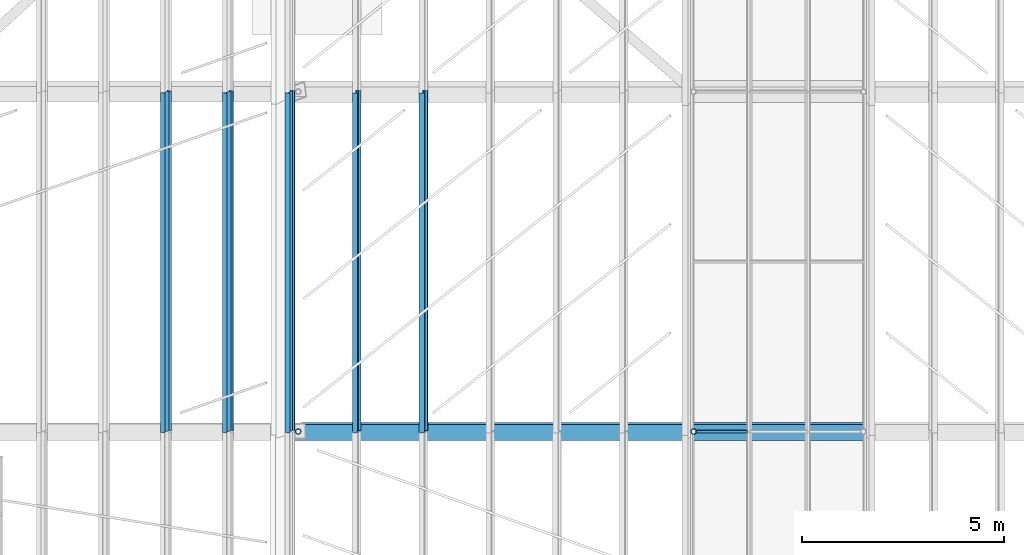
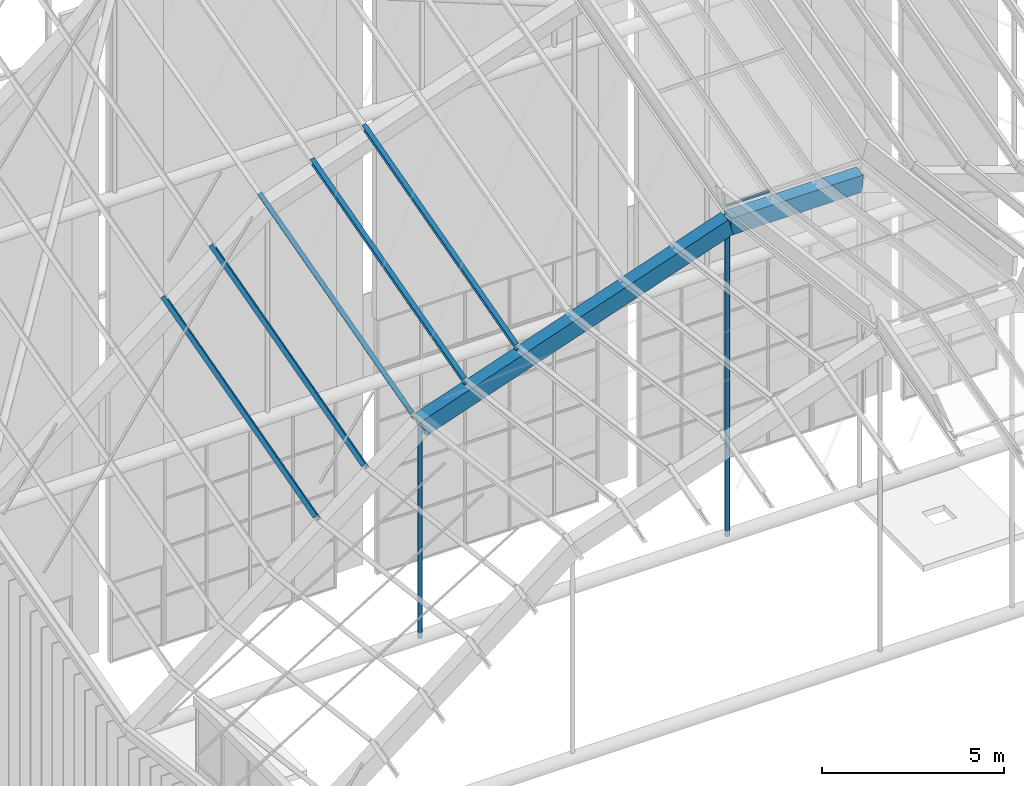
# One storey, part 29 of 126: 8 members, 2 beams.
"""IFC4 building model written with IfcOpenShell, lengths in metres."""

from ifc_helpers import new_model, si_unit, direction, frame, origin, origin_2d, place, context, subcontext, project, spatial, polyline, rectangle, hollow_circle, i_section, outline, extrude, material, material_profile, profile_set, type_object, element, save


model = new_model("IFC4")

# Units and contexts
model_context = context("Model", 3, precision=1e-05, world=origin(), true_north=direction((0.0, 1.0)))
body_context = subcontext(model_context, "Body", "Model", "MODEL_VIEW")
ifc_project = project(units=[si_unit("LENGTHUNIT", "METRE"), si_unit("AREAUNIT", "SQUARE_METRE"), si_unit("VOLUMEUNIT", "CUBIC_METRE"), si_unit("PLANEANGLEUNIT", "RADIAN"), si_unit("MASSUNIT", "GRAM", prefix="KILO")], contexts=[model_context])

# Site, building, storey
site_placement = place(None, origin())
site = spatial("IfcSite", under=ifc_project, at=site_placement, CompositionType="ELEMENT")
building_placement = place(site_placement, origin())
building = spatial("IfcBuilding", under=site, at=building_placement, Name="Sava Quay Ferry Terminal", CompositionType="ELEMENT")
storey_placement = place(building_placement, frame((0.0, 0.0, 15.0)))
storey = spatial("IfcBuildingStorey", under=building, at=storey_placement, Name="L03", CompositionType="ELEMENT", Elevation=15.0)

# Beams
ifc_material_1 = material(Name="Steel S355", Category="steel")
ifc_material_profile_1 = material_profile(ifc_material_1, outline(polyline([(-0.199951171875, -0.300048828125), (0.199951171875, -0.300048828125), (0.199951171875, 0.300048828125), (-0.199951171875, 0.300048828125), (-0.199951171875, -0.300048828125)]), holes=[polyline([(-0.175048828125, -0.27490234375), (-0.175048828125, 0.27490234375), (0.175048828125, 0.27490234375), (0.175048828125, -0.27490234375), (-0.175048828125, -0.27490234375)])]), Name="Box 600x400x25 built-up")
ifc_profile_set_1 = profile_set([ifc_material_profile_1], Name="Steel S355")
beam_type = type_object("IfcBeamType", Name="D folded rib Box 600x400x25", PredefinedType="BEAM", material=ifc_profile_set_1)
beam_1_placement = place(storey_placement, frame((51.1298828125, 84.0, 18.162109375), z_axis=(0.945520775213, 0.0, 0.325561766247), x_axis=(-0.0221801038, 0.99767654007, 0.064417112554)))
element("IfcBeam", 1, at=beam_1_placement, inside=storey, type_object=beam_type, Name="Departure hall folded rib R4 seg 2", PredefinedType="BEAM", context=body_context, shape_type="SweptSolid", body=[
    extrude(outline(polyline([(-0.199951171875, -0.300048828125), (0.199951171875, -0.300048828125), (0.199951171875, 0.300048828125), (-0.199951171875, 0.300048828125), (-0.199951171875, -0.300048828125)]), holes=[polyline([(-0.175048828125, -0.27490234375), (-0.175048828125, 0.27490234375), (0.175048828125, 0.27490234375), (0.175048828125, -0.27490234375), (-0.175048828125, -0.27490234375)])]), origin(), (0.0, 0.0, 1.0), 10.3330078125),
])
beam_2_placement = place(storey_placement, frame((60.89990234375, 84.0, 21.526123046875), z_axis=(1.0, 0.0, 0.0), x_axis=(0.0, 0.997422753982, 0.071748518022)))
element("IfcBeam", 2, at=beam_2_placement, inside=storey, type_object=beam_type, Name="Departure hall folded rib R4 seg 3", PredefinedType="BEAM", context=body_context, shape_type="SweptSolid", body=[
    extrude(outline(polyline([(-0.199951171875, -0.300048828125), (0.199951171875, -0.300048828125), (0.199951171875, 0.300048828125), (-0.199951171875, 0.300048828125), (-0.199951171875, -0.300048828125)]), holes=[polyline([(-0.175048828125, -0.27490234375), (-0.175048828125, 0.27490234375), (0.175048828125, 0.27490234375), (0.175048828125, -0.27490234375), (-0.175048828125, -0.27490234375)])]), origin(), (0.0, 0.0, 1.0), 4.2001953125),
])

# Members
ifc_material_2 = material(Name="Aluminium EN AW-6063 T6", Category="aluminium")
ifc_material_profile_2 = material_profile(ifc_material_2, rectangle(XDim=0.06005859375, YDim=0.06005859375, at=origin_2d()), Name="Bar 60 x 60")
ifc_profile_set_2 = profile_set([ifc_material_profile_2], Name="Aluminium EN AW-6063 T6")
member_type_1 = type_object("IfcMemberType", Name="Glazing bar 60x60", PredefinedType="USERDEFINED", material=ifc_profile_set_2)
member_1_placement = place(storey_placement, frame((60.8798828125, 84.0, 22.1279296875), z_axis=(1.0, 0.0, 0.0), x_axis=(0.0, 0.964556832817, 0.263875190699)))
element("IfcMember", 3, at=member_1_placement, inside=storey, type_object=member_type_1, Name="Departure hall glazing bar D-R4-GT2.0", ObjectType="GLAZING BAR", PredefinedType="USERDEFINED", context=body_context, shape_type="SweptSolid", body=[
    extrude(rectangle(XDim=0.06005859375, YDim=0.06005859375, at=origin_2d()), origin(), (0.0, 0.0, 1.0), 1.356689453125),
])
ifc_material_3 = material(Name="Steel S355", Category="steel")
ifc_material_profile_3 = material_profile(ifc_material_3, i_section(OverallWidth=0.135009765625, OverallDepth=0.27001953125, WebThickness=0.006591796875, FlangeThickness=0.01025390625, at=origin_2d()), Name="IPE 270")
ifc_profile_set_3 = profile_set([ifc_material_profile_3], Name="Steel S355")
member_type_2 = type_object("IfcMemberType", Name="Roof purlin IPE 270", PredefinedType="PURLIN", material=ifc_profile_set_3)
for number, where, z_axis, x_axis, name in (
    (4, (47.86279296875, 84.0, 16.17431640625), (0.0, 0.964560390264, 0.263862186629), (-0.798620025874, 0.158801649701, -0.58050675304), "Departure hall purlin bay 5 M0.4"),
    (5, (49.39404296875, 84.0, 17.37060546875), (0.0, 0.964560390264, 0.263862186629), (-0.798620025874, 0.158801649701, -0.58050675304), "Departure hall purlin bay 5 M0.5"),
    (6, (50.92529296875, 84.0, 18.56689453125), (0.0, 0.964560390264, 0.263862186629), (-0.885499005285, 0.122601262026, -0.448174566646), "Departure hall purlin bay 5 V1"),
    (7, (52.575927734375, 84.0, 19.13525390625), (0.0, 0.964560390264, 0.263862186629), (-0.949027169883, 0.083167850544, -0.304023912646), "Departure hall purlin bay 5 M1.1"),
    (8, (54.2265625, 84.0, 19.70361328125), (0.0, 0.964553254836, 0.263888269132), (-0.949027169883, 0.0831760716, -0.3040216636), "Departure hall purlin bay 5 M1.2"),
):
    element("IfcMember", number, at=place(storey_placement, frame(where, z_axis=z_axis, x_axis=x_axis)), inside=storey, type_object=member_type_2, Name=name, PredefinedType="PURLIN", context=body_context, shape_type="SweptSolid", body=[
        extrude(i_section(OverallWidth=0.135009765625, OverallDepth=0.27001953125, WebThickness=0.006591796875, FlangeThickness=0.01025390625, at=origin_2d()), origin(), (0.0, 0.0, 1.0), 8.70849609375),
    ])
ifc_material_4 = material(Name="Steel S355", Category="steel")
ifc_material_profile_4 = material_profile(ifc_material_4, hollow_circle(Radius=0.06982421875, WallThickness=0.008056640625, at=origin_2d()), Name="CHS 139.7 x 8.0")
ifc_profile_set_4 = profile_set([ifc_material_profile_4], Name="Steel S355")
member_type_3 = type_object("IfcMemberType", Name="Tie hanger CHS 139.7x8", PredefinedType="USERDEFINED", material=ifc_profile_set_4)
member_2_placement = place(storey_placement, frame((51.1298828125, 84.0, 11.029052734375), z_axis=(0.0, 0.0, 1.0), x_axis=(1.0, 0.0, 0.0)))
element("IfcMember", 9, at=member_2_placement, inside=storey, type_object=member_type_3, Name="Departure hall tie hanger R4 V1", ObjectType="TIE HANGER", PredefinedType="USERDEFINED", context=body_context, shape_type="SweptSolid", body=[
    extrude(hollow_circle(Radius=0.06982421875, WallThickness=0.008056640625, at=origin_2d()), origin(), (0.0, 0.0, 1.0), 7.133056640625),
])
member_3_placement = place(storey_placement, frame((60.89990234375, 84.0, 11.029052734375), z_axis=(0.0, 0.0, 1.0), x_axis=(1.0, 0.0, 0.0)))
element("IfcMember", 10, at=member_3_placement, inside=storey, type_object=member_type_3, Name="Departure hall tie hanger R4 V2", ObjectType="TIE HANGER", PredefinedType="USERDEFINED", context=body_context, shape_type="SweptSolid", body=[
    extrude(hollow_circle(Radius=0.06982421875, WallThickness=0.008056640625, at=origin_2d()), origin(), (0.0, 0.0, 1.0), 10.4970703125),
])

save(model, "model.ifc")
